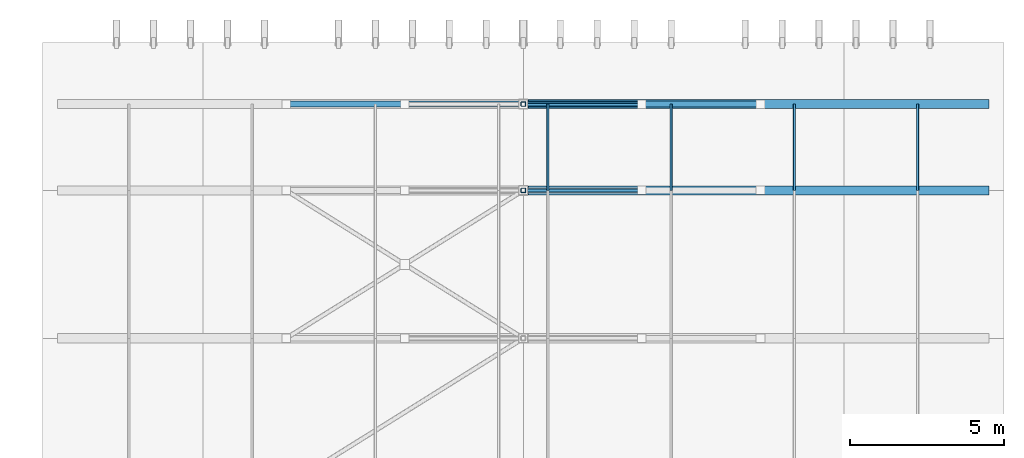
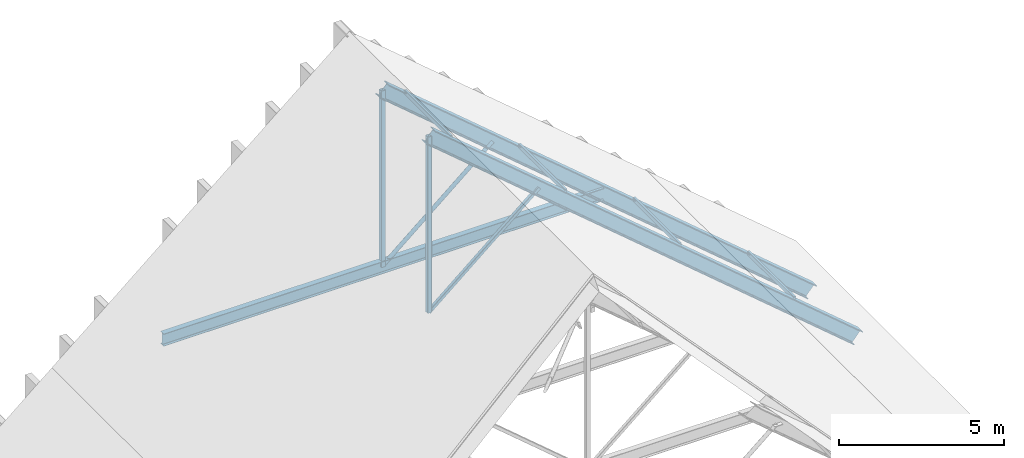
# One storey, part 33 of 60: 8 members, 3 beams.
"""IFC4 building model written with IfcOpenShell, lengths in metres."""

import ifcopenshell
import ifcopenshell.guid

model = None  # the IFC model being written
_history = None  # IfcOwnerHistory: only IFC2X3 demands one
_inside = {}  # id of a spatial element -> (the spatial element, [elements in it])
_under = {}  # id of a project, library or spatial element -> (it, [spatial elements below it])
_declared = {}  # id of a project -> (the project, [libraries it declares])
_typed = {}  # id of a type object -> (the type object, [elements of that type])
_made_of = {}  # id of a material, layer set ... -> (it, [elements and type objects made of it])


def new_model(schema):
    """Start an empty IFC model of exactly this schema.

    Asked for "IFC4X3", IfcOpenShell would pick the latest addendum, in which some entities
    have other attributes; the version numbers below select the first issue.
    IFC2X3 requires an IfcOwnerHistory on every rooted entity: one is made here for all.
    """
    global model, _history
    if schema == "IFC4X3":
        model = ifcopenshell.file(schema_version=(4, 3, 0, 0))
    else:
        model = ifcopenshell.file(schema=schema)
    _inside.clear()
    _under.clear()
    _declared.clear()
    _typed.clear()
    _made_of.clear()
    _history = None
    if model.schema == "IFC2X3":
        org = make("IfcOrganization", Name="unknown")
        user = make(
            "IfcPersonAndOrganization",
            ThePerson=make("IfcPerson", FamilyName="unknown"),
            TheOrganization=org,
        )
        app = make(
            "IfcApplication",
            ApplicationDeveloper=org,
            Version="unknown",
            ApplicationFullName="unknown",
            ApplicationIdentifier="unknown",
        )
        _history = make(
            "IfcOwnerHistory",
            OwningUser=user,
            OwningApplication=app,
            ChangeAction="ADDED",
            CreationDate=0,
        )
    return model


def make(cls, **values):
    """One entity of the class cls with the attributes given. An attribute that is None is left unset."""
    return model.create_entity(
        cls, **{name: value for name, value in values.items() if value is not None}
    )


def rooted(cls, **values):
    """An entity with a GlobalId (a new one), such as an element, a storey or a relation."""
    return make(cls, GlobalId=ifcopenshell.guid.new(), OwnerHistory=_history, **values)


def si_unit(unit_type, name, prefix=None):
    """IfcSIUnit, for example si_unit("LENGTHUNIT", "METRE", prefix="MILLI")."""
    return make("IfcSIUnit", UnitType=unit_type, Prefix=prefix, Name=name)


def assignment(units):
    """IfcUnitAssignment: the units of a project."""
    return None if units is None else make("IfcUnitAssignment", Units=units)


def point(xyz):
    """IfcCartesianPoint."""
    return None if xyz is None else make("IfcCartesianPoint", Coordinates=xyz)


def direction(xyz):
    """IfcDirection."""
    return None if xyz is None else make("IfcDirection", DirectionRatios=xyz)


def frame(location, z_axis=None, x_axis=None):
    """IfcAxis2Placement3D, a coordinate frame: its origin and axes. An axis left out is left unset."""
    return make(
        "IfcAxis2Placement3D",
        Location=point(location),
        Axis=direction(z_axis),
        RefDirection=direction(x_axis),
    )


def frame_2d(location, x_axis=None):
    """IfcAxis2Placement2D, a coordinate frame in the plane: its origin and x axis."""
    return make(
        "IfcAxis2Placement2D", Location=point(location), RefDirection=direction(x_axis)
    )


def origin():
    """The frame at (0, 0, 0) with its axes left unset."""
    return frame((0.0, 0.0, 0.0))


def origin_2d():
    """The frame at (0, 0) in the plane with its x axis left unset."""
    return frame_2d((0.0, 0.0))


def place(relative_to, where):
    """IfcLocalPlacement: puts the frame where relative to a parent placement (None: the world)."""
    return make(
        "IfcLocalPlacement", PlacementRelTo=relative_to, RelativePlacement=where
    )


def context(
    kind, dimensions, precision=None, world=None, true_north=None, identifier=None
):
    """IfcGeometricRepresentationContext, for example the 3D "Model" context."""
    return make(
        "IfcGeometricRepresentationContext",
        ContextIdentifier=identifier,
        ContextType=kind,
        CoordinateSpaceDimension=dimensions,
        Precision=precision,
        WorldCoordinateSystem=world,
        TrueNorth=true_north,
    )


def subcontext(parent, identifier, kind, view, scale=None):
    """IfcGeometricRepresentationSubContext, for example "Body" below "Model"."""
    return make(
        "IfcGeometricRepresentationSubContext",
        ContextIdentifier=identifier,
        ContextType=kind,
        ParentContext=parent,
        TargetScale=scale,
        TargetView=view,
    )


def project(units=None, contexts=None):
    """IfcProject with its units and contexts."""
    return rooted(
        "IfcProject",
        Name="project",
        RepresentationContexts=contexts,
        UnitsInContext=assignment(units),
    )


def spatial(cls, under=None, at=None, **own):
    """A site, building, storey or space (cls), placed at a placement, below another one or the project."""
    s = rooted(cls, ObjectPlacement=at, **own)
    if under is not None:
        _under.setdefault(under.id(), (under, []))[1].append(s)
    return s


def profile(cls, at=None, kind="AREA", **sizes):
    """A parametric profile (cls). Its sizes go by their IFC names, for example OverallWidth=200.0."""
    return make(cls, ProfileType=kind, Position=at, **sizes)


def hollow_rectangle(**sizes):
    """IfcRectangleHollowProfileDef."""
    return profile("IfcRectangleHollowProfileDef", **sizes)


def hollow_circle(**sizes):
    """IfcCircleHollowProfileDef."""
    return profile("IfcCircleHollowProfileDef", **sizes)


def i_section(**sizes):
    """IfcIShapeProfileDef."""
    return profile("IfcIShapeProfileDef", **sizes)


def extrude(swept, where, along, depth):
    """IfcExtrudedAreaSolid: the profile swept, set in the frame where, extruded along a direction by depth."""
    return make(
        "IfcExtrudedAreaSolid",
        SweptArea=swept,
        Position=where,
        ExtrudedDirection=direction(along),
        Depth=depth,
    )


def shape(context_of_items, identifier, shape_type, items):
    """IfcShapeRepresentation: the items that make up one representation, for example the "Body"."""
    return make(
        "IfcShapeRepresentation",
        ContextOfItems=context_of_items,
        RepresentationIdentifier=identifier,
        RepresentationType=shape_type,
        Items=items,
    )


def material(Name=None, Category=None):
    """IfcMaterial."""
    return make("IfcMaterial", Name=Name, Category=Category)


def material_profile(
    of_material, cross_section, Name=None, Category=None, Priority=None
):
    """IfcMaterialProfile: a cross section and its material."""
    return make(
        "IfcMaterialProfile",
        Name=Name,
        Material=of_material,
        Profile=cross_section,
        Priority=Priority,
        Category=Category,
    )


def profile_set(profiles, Name=None, composite=None):
    """IfcMaterialProfileSet."""
    return make(
        "IfcMaterialProfileSet",
        Name=Name,
        MaterialProfiles=profiles,
        CompositeProfile=composite,
    )


def made_of(thing, what):
    """Note that an element or type object is made of a material, layer set ...; save() writes the relation."""
    if what is not None:
        _made_of.setdefault(what.id(), (what, []))[1].append(thing)
    return thing


def type_object(cls, material=None, **own):
    """A type object (cls), such as IfcWallType, which elements share."""
    return made_of(rooted(cls, **own), material)


def element(
    cls,
    number,
    at=None,
    inside=None,
    cuts=None,
    type_object=None,
    material=None,
    context=None,
    identifier="Body",
    shape_type=None,
    held_by="IfcProductDefinitionShape",
    body=None,
    shapes=None,
    **own,
):
    """One element of the class cls, such as IfcWall. Its Tag is "e" and its number.

    at: its placement. inside: the storey or other place that contains it. cuts: it is an
    opening in that element (IfcRelVoidsElement). A single representation is given by context,
    identifier, shape_type and body (its items); several are given by shapes. held_by: the class
    of the entity that holds the representations. save() writes the other relations.
    """
    e = rooted(cls, Tag="e%d" % number, ObjectPlacement=at, **own)
    if body is not None:
        shapes = [shape(context, identifier, shape_type, body)]
    if shapes is not None:
        e.Representation = make(held_by, Representations=shapes)
    if inside is not None:
        _inside.setdefault(inside.id(), (inside, []))[1].append(e)
    if cuts is not None:
        rooted(
            "IfcRelVoidsElement", RelatingBuildingElement=cuts, RelatedOpeningElement=e
        )
    if type_object is not None:
        _typed.setdefault(type_object.id(), (type_object, []))[1].append(e)
    return made_of(e, material)


def aggregate(whole, parts):
    """IfcRelAggregates: a whole, such as a stair, and the parts it consists of."""
    return rooted("IfcRelAggregates", RelatingObject=whole, RelatedObjects=parts)


def save(model, path):
    """Write the relations noted so far, then the file.

    IfcRelAggregates (storeys below a building ...), IfcRelContainedInSpatialStructure (elements
    in a storey), IfcRelDefinesByType, IfcRelAssociatesMaterial and IfcRelDeclares: one each for
    every whole, place, type object, material and project.
    """
    for whole, parts in _under.values():
        aggregate(whole, parts)
    for where, things in _inside.values():
        rooted(
            "IfcRelContainedInSpatialStructure",
            RelatedElements=things,
            RelatingStructure=where,
        )
    for kind, things in _typed.values():
        rooted("IfcRelDefinesByType", RelatedObjects=things, RelatingType=kind)
    for what, things in _made_of.values():
        rooted("IfcRelAssociatesMaterial", RelatedObjects=things, RelatingMaterial=what)
    for by, libraries in _declared.values():
        rooted("IfcRelDeclares", RelatingContext=by, RelatedDefinitions=libraries)
    model.write(path)


model = new_model("IFC4")

# Units and contexts
model_context = context("Model", 3, precision=1e-05, world=origin(), true_north=direction((0.0, 1.0)))
body_context = subcontext(model_context, "Body", "Model", "MODEL_VIEW")
ifc_project = project(units=[si_unit("LENGTHUNIT", "METRE"), si_unit("AREAUNIT", "SQUARE_METRE"), si_unit("VOLUMEUNIT", "CUBIC_METRE"), si_unit("PLANEANGLEUNIT", "RADIAN"), si_unit("MASSUNIT", "GRAM", prefix="KILO")], contexts=[model_context])

# Site, building, storey
site_placement = place(None, origin())
site = spatial("IfcSite", under=ifc_project, at=site_placement, CompositionType="ELEMENT")
building_placement = place(site_placement, origin())
building = spatial("IfcBuilding", under=site, at=building_placement, Name="Nakhvara Creek Congress Hotel", CompositionType="ELEMENT")
storey_placement = place(building_placement, frame((0.0, 0.0, 54.60009765625)))
storey = spatial("IfcBuildingStorey", under=building, at=storey_placement, Name="RL1", CompositionType="ELEMENT", Elevation=54.60009765625)

# Beams
ifc_material_1 = material(Name="Steel S355J2", Category="steel")
ifc_material_profile_1 = material_profile(ifc_material_1, i_section(OverallWidth=0.300048828125, OverallDepth=0.5, WebThickness=0.014404296875, FlangeThickness=0.028076171875, FilletRadius=0.027099609375, at=origin_2d()), Name="HEB 500", Category="LoadBearing")
ifc_profile_set_1 = profile_set([ifc_material_profile_1], Name="Steel S355J2")
beam_type_1 = type_object("IfcBeamType", Name="BM-ST-HEB500", PredefinedType="BEAM", material=ifc_profile_set_1)
for number, where, z_axis, x_axis, name in (
    (1, (164.39990234375, 121.199951171875, 8.11376953125), (0.763392905421, 0.0, -0.645934417687), (0.0, 1.0, 0.0), "Hotel Gothic Gable East Rafter 11"),
    (2, (164.39990234375, 124.0, 8.11376953125), (0.763392905421, 0.0, -0.645934417687), (0.0, 1.0, 0.0), "Hotel Gothic Gable East Rafter 12"),
):
    element("IfcBeam", number, at=place(storey_placement, frame(where, z_axis=z_axis, x_axis=x_axis)), inside=storey, type_object=beam_type_1, Name=name, PredefinedType="BEAM", context=body_context, shape_type="SweptSolid", body=[
        extrude(i_section(OverallWidth=0.300048828125, OverallDepth=0.5, WebThickness=0.014404296875, FlangeThickness=0.028076171875, FilletRadius=0.027099609375, at=origin_2d()), origin(), (0.0, 0.0, 1.0), 19.583984375),
    ])
ifc_material_profile_2 = material_profile(ifc_material_1, i_section(OverallWidth=0.1904296875, OverallDepth=0.45703125, WebThickness=0.009033203125, FlangeThickness=0.014404296875, FilletRadius=0.01025390625, at=origin_2d()), Name="UB 457x191x74", Category="LoadBearing")
ifc_profile_set_2 = profile_set([ifc_material_profile_2], Name="Steel S355J2")
beam_type_2 = type_object("IfcBeamType", Name="BM-ST-UB457", PredefinedType="BEAM", material=ifc_profile_set_2)
beam_placement = place(storey_placement, frame((156.70166015625, 124.0, 1.599853515625), z_axis=(1.0, 0.0, 0.0), x_axis=(0.0, 1.0, 0.0)))
element("IfcBeam", 3, at=beam_placement, inside=storey, type_object=beam_type_2, Name="Hotel Gothic Gable Collar Tie 12", PredefinedType="BEAM", context=body_context, shape_type="SweptSolid", body=[
    extrude(i_section(OverallWidth=0.1904296875, OverallDepth=0.45703125, WebThickness=0.009033203125, FlangeThickness=0.014404296875, FilletRadius=0.01025390625, at=origin_2d()), origin(), (0.0, 0.0, 1.0), 15.396728515625),
])

# Members
ifc_material_2 = material(Name="Steel S355J2H", Category="steel")
ifc_material_profile_3 = material_profile(ifc_material_2, hollow_circle(Radius=0.06982421875, WallThickness=0.008056640625, at=origin_2d()), Name="CHS 139.7x8.0", Category="LoadBearing")
ifc_profile_set_3 = profile_set([ifc_material_profile_3], Name="Steel S355J2H")
member_type_1 = type_object("IfcMemberType", Name="MEM-BRC-CHS139H", PredefinedType="BRACE", material=ifc_profile_set_3)
member_1_placement = place(storey_placement, frame((164.39990234375, 124.0, 1.599853515625), z_axis=(0.763373429147, 0.0, 0.645957434876), x_axis=(0.0, 1.0, 0.0)))
element("IfcMember", 4, at=member_1_placement, inside=storey, type_object=member_type_1, Name="Hotel Gable Web Brace E-12", PredefinedType="BRACE", context=body_context, shape_type="SweptSolid", body=[
    extrude(hollow_circle(Radius=0.06982421875, WallThickness=0.008056640625, at=origin_2d()), origin(), (0.0, 0.0, 1.0), 5.042236328125),
])
ifc_material_profile_4 = material_profile(ifc_material_2, hollow_rectangle(XDim=0.1201171875, YDim=0.1201171875, WallThickness=0.008056640625, InnerFilletRadius=0.008056640625, OuterFilletRadius=0.01611328125, at=origin_2d()), Name="SHS 120x120x8.0", Category="LoadBearing")
ifc_profile_set_4 = profile_set([ifc_material_profile_4], Name="Steel S355J2H")
member_type_2 = type_object("IfcMemberType", Name="MEM-BRC-SHS120", PredefinedType="BRACE", material=ifc_profile_set_4)
member_2_placement = place(storey_placement, frame((164.39990234375, 121.199951171875, 1.599853515625), z_axis=(0.763373429147, 0.0, 0.645957434876), x_axis=(0.0, 1.0, 0.0)))
element("IfcMember", 5, at=member_2_placement, inside=storey, type_object=member_type_2, Name="Hotel Gable Web Brace E-11", PredefinedType="BRACE", context=body_context, shape_type="SweptSolid", body=[
    extrude(hollow_rectangle(XDim=0.1201171875, YDim=0.1201171875, WallThickness=0.008056640625, InnerFilletRadius=0.008056640625, OuterFilletRadius=0.01611328125, at=origin_2d()), origin(), (0.0, 0.0, 1.0), 5.042236328125),
])
ifc_material_profile_5 = material_profile(ifc_material_2, hollow_rectangle(XDim=0.080078125, YDim=0.159912109375, WallThickness=0.00634765625, InnerFilletRadius=0.00634765625, OuterFilletRadius=0.0126953125, at=origin_2d()), Name="RHS 160x80x6.3", Category="LoadBearing")
ifc_profile_set_5 = profile_set([ifc_material_profile_5], Name="Steel S355J2H")
member_type_3 = type_object("IfcMemberType", Name="MEM-PUR-RHS160", PredefinedType="PURLIN", material=ifc_profile_set_5)
for number, where, z_axis, x_axis, name in (
    (6, (165.199951171875, 121.199951171875, 7.7568359375), (0.0, 1.0, 0.0), (-1.0, 0.0, 0.0), "Hotel Gable Purlin PR03-5.11"),
    (7, (169.199951171875, 121.199951171875, 4.372314453125), (0.0, 1.0, 0.0), (-1.0, 0.0, 0.0), "Hotel Gable Purlin PR03-6.11"),
    (8, (173.199951171875, 121.199951171875, 0.98779296875), (0.0, 1.0, 0.0), (-1.0, 0.0, 0.0), "Hotel Gable Purlin PR03-7.11"),
    (9, (177.199951171875, 121.199951171875, -2.39697265625), (0.0, 1.0, 0.0), (-1.0, 0.0, 0.0), "Hotel Gable Purlin PR03-8.11"),
):
    element("IfcMember", number, at=place(storey_placement, frame(where, z_axis=z_axis, x_axis=x_axis)), inside=storey, type_object=member_type_3, Name=name, PredefinedType="PURLIN", context=body_context, shape_type="SweptSolid", body=[
        extrude(hollow_rectangle(XDim=0.080078125, YDim=0.159912109375, WallThickness=0.00634765625, InnerFilletRadius=0.00634765625, OuterFilletRadius=0.0126953125, at=origin_2d()), origin(), (0.0, 0.0, 1.0), 2.800048828125),
    ])
ifc_material_profile_6 = material_profile(ifc_material_2, hollow_rectangle(XDim=0.14990234375, YDim=0.14990234375, WallThickness=0.008056640625, InnerFilletRadius=0.008056640625, OuterFilletRadius=0.01611328125, at=origin_2d()), Name="SHS 150x150x8.0", Category="LoadBearing")
ifc_profile_set_6 = profile_set([ifc_material_profile_6], Name="Steel S355J2H")
member_type_4 = type_object("IfcMemberType", Name="MEM-STR-SHS150", PredefinedType="STRUT", material=ifc_profile_set_6)
for number, where, z_axis, x_axis, name in (
    (10, (164.39990234375, 121.199951171875, 1.599853515625), (0.0, 0.0, 1.0), (1.0, 0.0, 0.0), "Hotel Gable King-Post Strut 11"),
    (11, (164.39990234375, 124.0, 1.599853515625), (0.0, 0.0, 1.0), (1.0, 0.0, 0.0), "Hotel Gable King-Post Strut 12"),
):
    element("IfcMember", number, at=place(storey_placement, frame(where, z_axis=z_axis, x_axis=x_axis)), inside=storey, type_object=member_type_4, Name=name, PredefinedType="STRUT", context=body_context, shape_type="SweptSolid", body=[
        extrude(hollow_rectangle(XDim=0.14990234375, YDim=0.14990234375, WallThickness=0.008056640625, InnerFilletRadius=0.008056640625, OuterFilletRadius=0.01611328125, at=origin_2d()), origin(), (0.0, 0.0, 1.0), 6.513916015625),
    ])

save(model, "model.ifc")
